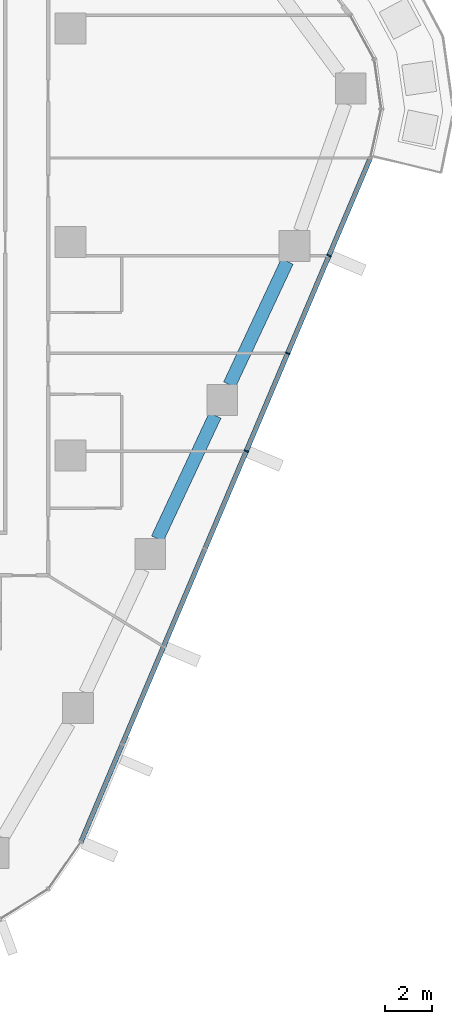
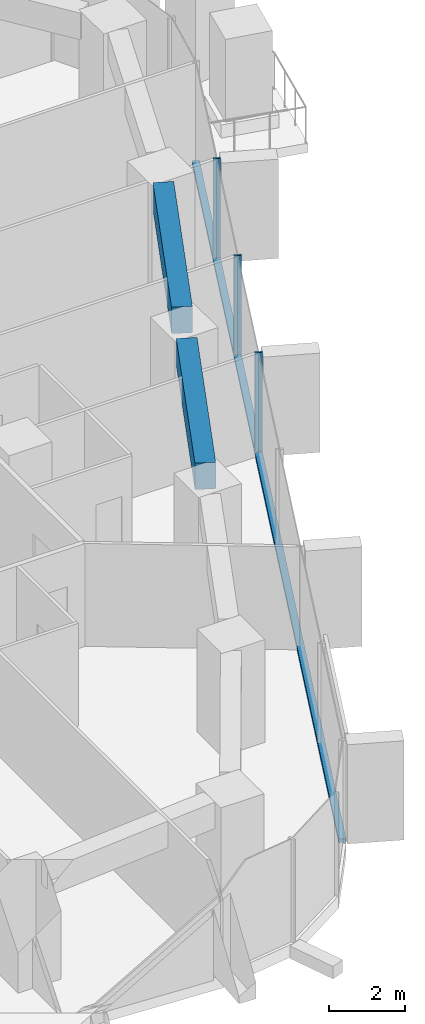
# One storey, part 5 of 24: 4 members, 2 beams, 1 element without a shape of its own.
"""IFC4 building model written with IfcOpenShell, lengths in metres."""

from ifc_helpers import new_model, si_unit, direction, frame, origin, origin_2d, place, context, subcontext, project, spatial, rectangle, extrude, material, layer, layer_set, material_profile, profile_set, type_object, element, aggregate, save


model = new_model("IFC4")

# Units and contexts
model_context = context("Model", 3, precision=1e-05, world=origin(), true_north=direction((0.0, 1.0)))
body_context = subcontext(model_context, "Body", "Model", "MODEL_VIEW")
ifc_project = project(units=[si_unit("LENGTHUNIT", "METRE"), si_unit("AREAUNIT", "SQUARE_METRE"), si_unit("VOLUMEUNIT", "CUBIC_METRE"), si_unit("PLANEANGLEUNIT", "RADIAN"), si_unit("MASSUNIT", "GRAM", prefix="KILO")], contexts=[model_context])

# Site, building, storey
site_placement = place(None, origin())
site = spatial("IfcSite", under=ifc_project, at=site_placement, CompositionType="ELEMENT")
building_placement = place(site_placement, origin())
building = spatial("IfcBuilding", under=site, at=building_placement, Name="Dongbaek Canopy Tower", CompositionType="ELEMENT")
storey_placement = place(building_placement, frame((0.0, 0.0, 124.800048828125)))
storey = spatial("IfcBuildingStorey", under=building, at=storey_placement, Name="L27", CompositionType="ELEMENT", Elevation=124.800048828125)

# Curtain wall, members
ifc_material_1 = material(Name="Aluminium 6063-T6 pale anodised", Category="aluminium")
ifc_layer = layer(ifc_material_1, 0.199951171875)
ifc_layer_set = layer_set([ifc_layer], Name="CW-1 unitised tower curtain wall")
curtain_wall_type = type_object("IfcCurtainWallType", Name="CW-1 unitised tower curtain wall", PredefinedType="NOTDEFINED", material=ifc_layer_set)
curtain_wall_placement = place(storey_placement, origin())
curtain_wall = element("IfcCurtainWall", 1, at=curtain_wall_placement, inside=storey, type_object=curtain_wall_type, Name="CW-1 curtain wall F5.1", PredefinedType="NOTDEFINED")
ifc_material_2 = material(Name="Aluminium 6063-T6 pale anodised", Category="aluminium")
ifc_material_profile_1 = material_profile(ifc_material_2, rectangle(XDim=0.199951171875, YDim=0.06005859375, at=origin_2d()), Name="CW-1 mullion 60 x 200")
ifc_profile_set_1 = profile_set([ifc_material_profile_1], Name="Aluminium 6063-T6 pale anodised")
member_type_1 = type_object("IfcMemberType", Name="CW-1 mullion 60 x 200", PredefinedType="MULLION", material=ifc_profile_set_1)
member_1_placement = place(storey_placement, frame((25.40625, -8.809814453125, 0.119873046875), z_axis=(0.0, 0.0, 1.0), x_axis=(0.920957724744, -0.389662506836, 0.0)))
member_1 = element("IfcMember", 2, at=member_1_placement, type_object=member_type_1, Name="CW-1 mullion F5.1.5", PredefinedType="MULLION", context=body_context, shape_type="SweptSolid", body=[
    extrude(rectangle(XDim=0.199951171875, YDim=0.06005859375, at=origin_2d()), origin(), (0.0, 0.0, 1.0), 3.18017578125),
])
member_2_placement = place(storey_placement, frame((27.14990234375, -4.688720703125, 0.119873046875), z_axis=(0.0, 0.0, 1.0), x_axis=(0.920957724744, -0.389662506836, 0.0)))
member_2 = element("IfcMember", 3, at=member_2_placement, type_object=member_type_1, Name="CW-1 mullion F5.1.6", PredefinedType="MULLION", context=body_context, shape_type="SweptSolid", body=[
    extrude(rectangle(XDim=0.199951171875, YDim=0.06005859375, at=origin_2d()), origin(), (0.0, 0.0, 1.0), 3.18017578125),
])
member_3_placement = place(storey_placement, frame((28.8935546875, -0.56787109375, 0.119873046875), z_axis=(0.0, 0.0, 1.0), x_axis=(0.920957724744, -0.389662506836, 0.0)))
member_3 = element("IfcMember", 4, at=member_3_placement, type_object=member_type_1, Name="CW-1 mullion F5.1.7", PredefinedType="MULLION", context=body_context, shape_type="SweptSolid", body=[
    extrude(rectangle(XDim=0.199951171875, YDim=0.06005859375, at=origin_2d()), origin(), (0.0, 0.0, 1.0), 3.18017578125),
])
ifc_material_3 = material(Name="Aluminium 6063-T6 pale anodised", Category="aluminium")
ifc_material_profile_2 = material_profile(ifc_material_3, rectangle(XDim=0.199951171875, YDim=0.1201171875, at=origin_2d()), Name="CW-1 transom 120 x 200")
ifc_profile_set_2 = profile_set([ifc_material_profile_2], Name="Aluminium 6063-T6 pale anodised")
member_type_2 = type_object("IfcMemberType", Name="CW-1 transom 120 x 200", PredefinedType="USERDEFINED", material=ifc_profile_set_2)
member_4_placement = place(storey_placement, frame((18.435791015625, -25.2841796875, 0.06005859375), z_axis=(0.389665179174, 0.920956594058, 0.0), x_axis=(-0.920956594058, 0.389665179174, 0.0)))
member_4 = element("IfcMember", 5, at=member_4_placement, type_object=member_type_2, Name="CW-1 transom F5.1.1", ObjectType="TRANSOM", PredefinedType="USERDEFINED", context=body_context, shape_type="SweptSolid", body=[
    extrude(rectangle(XDim=0.199951171875, YDim=0.1201171875, at=origin_2d()), origin(), (0.0, 0.0, 1.0), 31.30322265625),
])
aggregate(curtain_wall, [member_1, member_2, member_3, member_4])

# Beams
ifc_material_4 = material(Name="Concrete C80", Category="concrete")
ifc_material_profile_3 = material_profile(ifc_material_4, rectangle(XDim=0.550048828125, YDim=0.85009765625, at=origin_2d()), Name="RC EDGE BEAM 550x850 C80")
ifc_profile_set_3 = profile_set([ifc_material_profile_3], Name="Concrete C80")
beam_type = type_object("IfcBeamType", Name="RC EDGE BEAM 550x850 C80", PredefinedType="BEAM", material=ifc_profile_set_3)
beam_1_placement = place(storey_placement, frame((27.131591796875, -0.81494140625, 2.875), z_axis=(-0.424053070164, -0.90563734115, 0.0), x_axis=(0.90563734115, -0.424053070164, 0.0)))
element("IfcBeam", 6, at=beam_1_placement, inside=storey, type_object=beam_type, Name="EDGEBEAM:L27:22", PredefinedType="BEAM", context=body_context, shape_type="SweptSolid", body=[
    extrude(rectangle(XDim=0.550048828125, YDim=0.85009765625, at=origin_2d()), origin(), (0.0, 0.0, 1.0), 5.733154296875),
])
beam_2_placement = place(storey_placement, frame((24.091796875, -7.306884765625, 2.875), z_axis=(-0.424022586017, -0.905651614335, 0.0), x_axis=(0.905651614335, -0.424022586017, 0.0)))
element("IfcBeam", 7, at=beam_2_placement, inside=storey, type_object=beam_type, Name="EDGEBEAM:L27:23", PredefinedType="BEAM", context=body_context, shape_type="SweptSolid", body=[
    extrude(rectangle(XDim=0.550048828125, YDim=0.85009765625, at=origin_2d()), origin(), (0.0, 0.0, 1.0), 5.734130859375),
])

save(model, "model.ifc")
